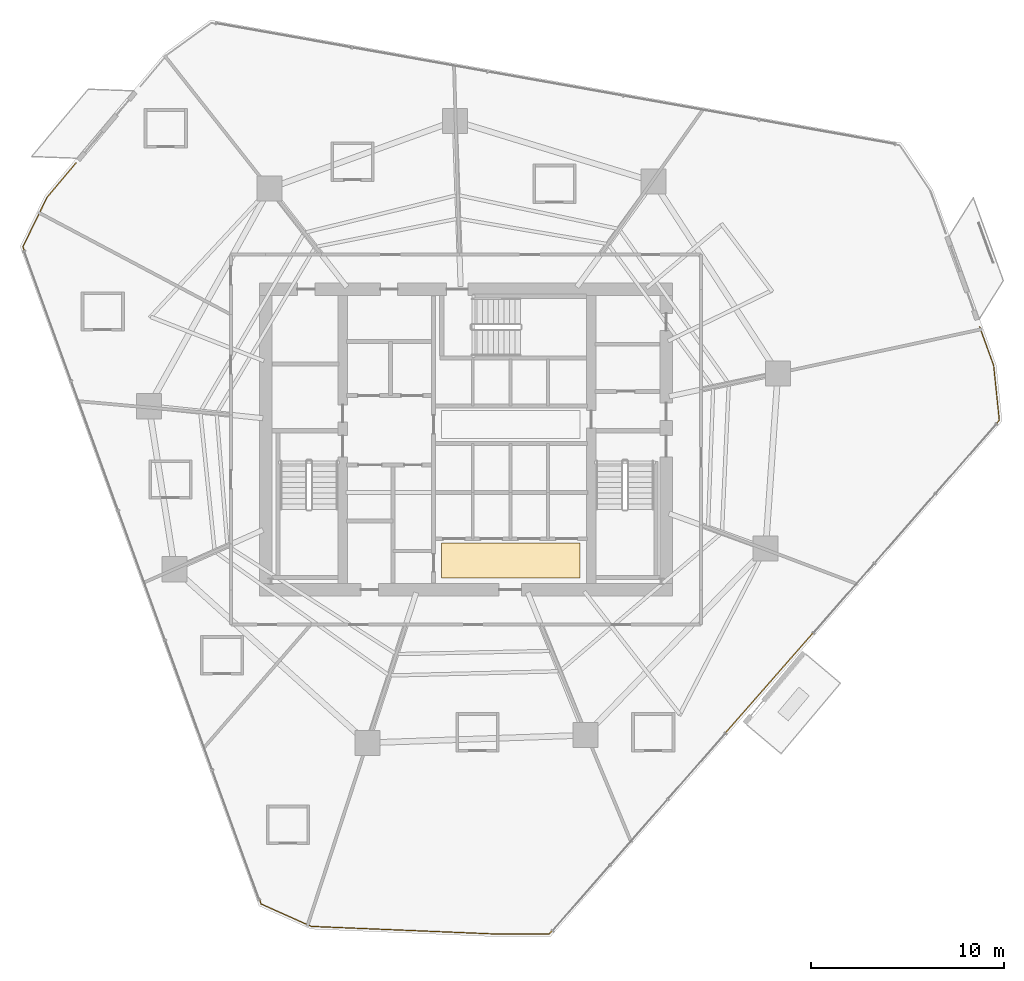
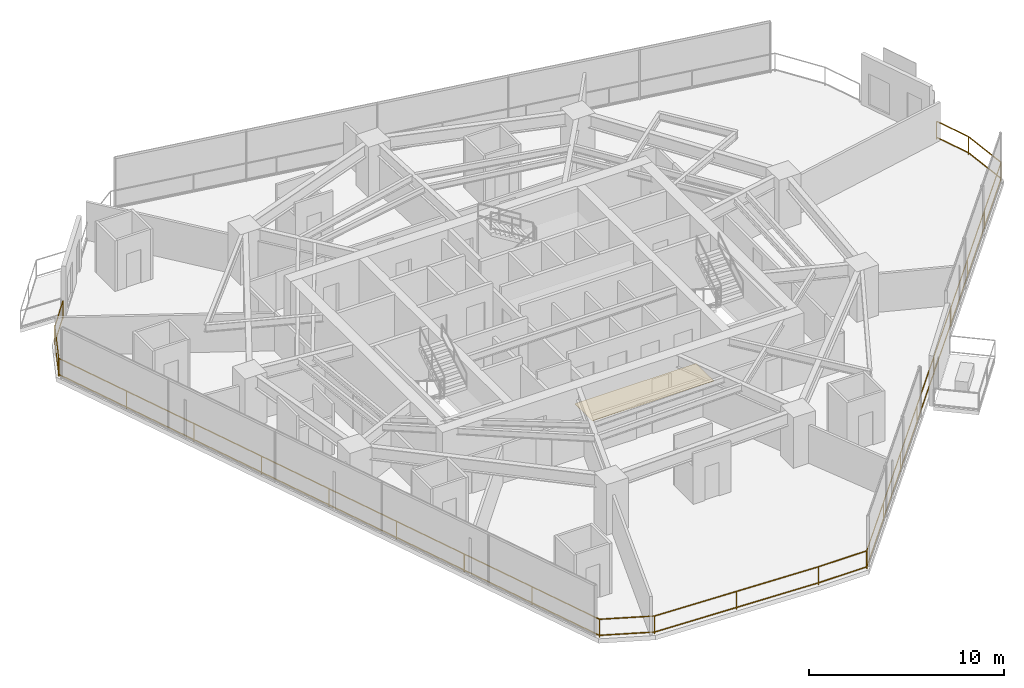
# One storey, part 31 of 33: 1 covering, 1 railing.
"""IFC4 building model written with IfcOpenShell, lengths in metres."""

from ifc_helpers import new_model, si_unit, direction, frame, origin, origin_2d, place, context, subcontext, project, spatial, rectangle, extrude, material, layer, layer_set, type_object, element, save


model = new_model("IFC4")

# Units and contexts
model_context = context("Model", 3, precision=1e-05, world=origin(), true_north=direction((0.0, 1.0)))
body_context = subcontext(model_context, "Body", "Model", "MODEL_VIEW")
ifc_project = project(units=[si_unit("LENGTHUNIT", "METRE"), si_unit("AREAUNIT", "SQUARE_METRE"), si_unit("VOLUMEUNIT", "CUBIC_METRE"), si_unit("PLANEANGLEUNIT", "RADIAN"), si_unit("MASSUNIT", "GRAM", prefix="KILO")], contexts=[model_context])

# Site, building, storey
site_placement = place(None, origin())
site = spatial("IfcSite", under=ifc_project, at=site_placement, CompositionType="ELEMENT")
building_placement = place(site_placement, origin())
building = spatial("IfcBuilding", under=site, at=building_placement, Name="Qarnah Convention Tower", CompositionType="ELEMENT")
storey_placement = place(building_placement, frame((0.0, 0.0, 30.449951171875)))
storey = spatial("IfcBuildingStorey", under=building, at=storey_placement, Name="L06", CompositionType="ELEMENT", Elevation=30.449951171875)

# Covering
ifc_material_1 = material(Name="Porcelain stone floor tile", Category="masonry")
ifc_layer = layer(ifc_material_1, 0.02001953125)
ifc_layer_set = layer_set([ifc_layer], Name="Porcelain stone floor tile")
covering_type = type_object("IfcCoveringType", Name="COV-FLOOR-20", PredefinedType="FLOORING", material=ifc_layer_set)
covering_placement = place(storey_placement, frame((39.52001953125, 20.1201171875, 0.0), z_axis=(0.0, 0.0, 1.0), x_axis=(1.0, 0.0, 0.0)))
element("IfcCovering", 1, at=covering_placement, inside=storey, type_object=covering_type, Name="L06 lift lobby porcelain stone flooring", PredefinedType="FLOORING", context=body_context, shape_type="SweptSolid", body=[
    extrude(rectangle(XDim=7.199951171875, YDim=1.800048828125, at=origin_2d()), origin(), (0.0, 0.0, 1.0), 0.02001953125),
])

# Railing
ifc_material_2 = material(Name="Black anodised aluminium", Category="aluminium")
railing_type = type_object("IfcRailingType", Name="RL-EXT-GUARD-1150", PredefinedType="GUARDRAIL", material=ifc_material_2)
railing_placement = place(storey_placement, frame((63.861083984375, 32.251953125, 0.0)))
element("IfcRailing", 2, at=railing_placement, inside=storey, type_object=railing_type, Name="L06 slab-edge perimeter safety guard 02", PredefinedType="GUARDRAIL", context=body_context, shape_type="SweptSolid", body=[
    extrude(rectangle(XDim=0.048095703125, YDim=0.048095703125, at=origin_2d()), frame((0.0, 0.0, 1.1259765625), z_axis=(0.340667835027, -0.940183719375, 0.0), x_axis=(0.940183719375, 0.340667835027, 0.0)), (0.0, 0.0, 1.0), 2.133544921875),
    extrude(rectangle(XDim=0.048095703125, YDim=0.048095703125, at=origin_2d()), frame((0.0, 0.0, 0.1201171875), z_axis=(0.340667835027, -0.940183719375, 0.0), x_axis=(0.940183719375, 0.340667835027, 0.0)), (0.0, 0.0, 1.0), 2.133544921875),
    extrude(rectangle(XDim=0.048095703125, YDim=0.048095703125, at=origin_2d()), frame((0.726806640625, -2.005859375, 1.1259765625), z_axis=(0.102963286167, -0.994685157073, 0.0), x_axis=(0.994685157073, 0.102963286167, 0.0)), (0.0, 0.0, 1.0), 2.857177734375),
    extrude(rectangle(XDim=0.048095703125, YDim=0.048095703125, at=origin_2d()), frame((0.726806640625, -2.005859375, 0.1201171875), z_axis=(0.102963286167, -0.994685157073, 0.0), x_axis=(0.994685157073, 0.102963286167, 0.0)), (0.0, 0.0, 1.0), 2.857177734375),
    extrude(rectangle(XDim=0.048095703125, YDim=0.048095703125, at=origin_2d()), frame((1.02099609375, -4.847900390625, 1.1259765625), z_axis=(-0.658953068124, -0.75218405594, 0.0), x_axis=(0.75218405594, -0.658953068124, 0.0)), (0.0, 0.0, 1.0), 35.448974609375),
    extrude(rectangle(XDim=0.048095703125, YDim=0.048095703125, at=origin_2d()), frame((1.02099609375, -4.847900390625, 0.1201171875), z_axis=(-0.658953068124, -0.75218405594, 0.0), x_axis=(0.75218405594, -0.658953068124, 0.0)), (0.0, 0.0, 1.0), 35.448974609375),
    extrude(rectangle(XDim=0.048095703125, YDim=0.048095703125, at=origin_2d()), frame((-22.338134765625, -31.511962890625, 1.1259765625), z_axis=(-1.0, 0.0, 0.0), x_axis=(0.0, -1.0, 0.0)), (0.0, 0.0, 1.0), 2.863037109375),
    extrude(rectangle(XDim=0.048095703125, YDim=0.048095703125, at=origin_2d()), frame((-22.338134765625, -31.511962890625, 0.1201171875), z_axis=(-1.0, 0.0, 0.0), x_axis=(0.0, -1.0, 0.0)), (0.0, 0.0, 1.0), 2.863037109375),
    extrude(rectangle(XDim=0.048095703125, YDim=0.048095703125, at=origin_2d()), frame((-25.201171875, -31.511962890625, 1.1259765625), z_axis=(-0.999152163194, 0.041169828582, 0.0), x_axis=(-0.041169828582, -0.999152163194, 0.0)), (0.0, 0.0, 1.0), 9.5),
    extrude(rectangle(XDim=0.048095703125, YDim=0.048095703125, at=origin_2d()), frame((-25.201171875, -31.511962890625, 0.1201171875), z_axis=(-0.999152163194, 0.041169828582, 0.0), x_axis=(-0.041169828582, -0.999152163194, 0.0)), (0.0, 0.0, 1.0), 9.5),
    extrude(rectangle(XDim=0.048095703125, YDim=0.048095703125, at=origin_2d()), frame((-34.693115234375, -31.120849609375, 1.1259765625), z_axis=(-0.912979518742, 0.408005390108, 0.0), x_axis=(-0.408005390108, -0.912979518742, 0.0)), (0.0, 0.0, 1.0), 2.85009765625),
    extrude(rectangle(XDim=0.048095703125, YDim=0.048095703125, at=origin_2d()), frame((-34.693115234375, -31.120849609375, 0.1201171875), z_axis=(-0.912979518742, 0.408005390108, 0.0), x_axis=(-0.408005390108, -0.912979518742, 0.0)), (0.0, 0.0, 1.0), 2.85009765625),
    extrude(rectangle(XDim=0.048095703125, YDim=0.048095703125, at=origin_2d()), frame((-37.295166015625, -29.9580078125, 1.1259765625), z_axis=(-0.340706263363, 0.940169794295, 0.0), x_axis=(-0.940169794295, -0.340706263363, 0.0)), (0.0, 0.0, 1.0), 36.289306640625),
    extrude(rectangle(XDim=0.048095703125, YDim=0.048095703125, at=origin_2d()), frame((-37.295166015625, -29.9580078125, 0.1201171875), z_axis=(-0.340706263363, 0.940169794295, 0.0), x_axis=(-0.940169794295, -0.340706263363, 0.0)), (0.0, 0.0, 1.0), 36.289306640625),
    extrude(rectangle(XDim=0.048095703125, YDim=0.048095703125, at=origin_2d()), frame((-49.6591796875, 4.16015625, 1.1259765625), z_axis=(0.439683317585, 0.898152871307, 0.0), x_axis=(-0.898152871307, 0.439683317585, 0.0)), (0.0, 0.0, 1.0), 2.859130859375),
    extrude(rectangle(XDim=0.048095703125, YDim=0.048095703125, at=origin_2d()), frame((-49.6591796875, 4.16015625, 0.1201171875), z_axis=(0.439683317585, 0.898152871307, 0.0), x_axis=(-0.898152871307, 0.439683317585, 0.0)), (0.0, 0.0, 1.0), 2.859130859375),
    extrude(rectangle(XDim=0.048095703125, YDim=0.048095703125, at=origin_2d()), frame((-48.402099609375, 6.72802734375, 1.1259765625), z_axis=(0.643965800925, 0.765054277316, 0.0), x_axis=(-0.765054277316, 0.643965800925, 0.0)), (0.0, 0.0, 1.0), 2.344970703125),
    extrude(rectangle(XDim=0.048095703125, YDim=0.048095703125, at=origin_2d()), frame((-48.402099609375, 6.72802734375, 0.1201171875), z_axis=(0.643965800925, 0.765054277316, 0.0), x_axis=(-0.765054277316, 0.643965800925, 0.0)), (0.0, 0.0, 1.0), 2.344970703125),
    extrude(rectangle(XDim=0.0419921875, YDim=0.0419921875, at=origin_2d()), origin(), (0.0, 0.0, 1.0), 1.101806640625),
    extrude(rectangle(XDim=0.0419921875, YDim=0.0419921875, at=origin_2d()), frame((0.726806640625, -2.005859375, 0.0)), (0.0, 0.0, 1.0), 1.101806640625),
    extrude(rectangle(XDim=0.0419921875, YDim=0.0419921875, at=origin_2d()), frame((1.02099609375, -4.847900390625, 0.0)), (0.0, 0.0, 1.0), 1.101806640625),
    extrude(rectangle(XDim=0.0419921875, YDim=0.0419921875, at=origin_2d()), frame((-1.89892578125, -8.180908203125, 0.0)), (0.0, 0.0, 1.0), 1.101806640625),
    extrude(rectangle(XDim=0.0419921875, YDim=0.0419921875, at=origin_2d()), frame((-4.81884765625, -11.513916015625, 0.0)), (0.0, 0.0, 1.0), 1.101806640625),
    extrude(rectangle(XDim=0.0419921875, YDim=0.0419921875, at=origin_2d()), frame((-7.73876953125, -14.846923828125, 0.0)), (0.0, 0.0, 1.0), 1.101806640625),
    extrude(rectangle(XDim=0.0419921875, YDim=0.0419921875, at=origin_2d()), frame((-10.65869140625, -18.179931640625, 0.0)), (0.0, 0.0, 1.0), 1.101806640625),
    extrude(rectangle(XDim=0.0419921875, YDim=0.0419921875, at=origin_2d()), frame((-13.578369140625, -21.512939453125, 0.0)), (0.0, 0.0, 1.0), 1.101806640625),
    extrude(rectangle(XDim=0.0419921875, YDim=0.0419921875, at=origin_2d()), frame((-16.498291015625, -24.845947265625, 0.0)), (0.0, 0.0, 1.0), 1.101806640625),
    extrude(rectangle(XDim=0.0419921875, YDim=0.0419921875, at=origin_2d()), frame((-19.418212890625, -28.178955078125, 0.0)), (0.0, 0.0, 1.0), 1.101806640625),
    extrude(rectangle(XDim=0.0419921875, YDim=0.0419921875, at=origin_2d()), frame((-22.338134765625, -31.511962890625, 0.0)), (0.0, 0.0, 1.0), 1.101806640625),
    extrude(rectangle(XDim=0.0419921875, YDim=0.0419921875, at=origin_2d()), frame((-25.201171875, -31.511962890625, 0.0)), (0.0, 0.0, 1.0), 1.101806640625),
    extrude(rectangle(XDim=0.0419921875, YDim=0.0419921875, at=origin_2d()), frame((-29.947265625, -31.31640625, 0.0)), (0.0, 0.0, 1.0), 1.101806640625),
    extrude(rectangle(XDim=0.0419921875, YDim=0.0419921875, at=origin_2d()), frame((-34.693115234375, -31.120849609375, 0.0)), (0.0, 0.0, 1.0), 1.101806640625),
    extrude(rectangle(XDim=0.0419921875, YDim=0.0419921875, at=origin_2d()), frame((-37.295166015625, -29.9580078125, 0.0)), (0.0, 0.0, 1.0), 1.101806640625),
    extrude(rectangle(XDim=0.0419921875, YDim=0.0419921875, at=origin_2d()), frame((-38.840576171875, -25.693359375, 0.0)), (0.0, 0.0, 1.0), 1.101806640625),
    extrude(rectangle(XDim=0.0419921875, YDim=0.0419921875, at=origin_2d()), frame((-40.38623046875, -21.428466796875, 0.0)), (0.0, 0.0, 1.0), 1.101806640625),
    extrude(rectangle(XDim=0.0419921875, YDim=0.0419921875, at=origin_2d()), frame((-41.931640625, -17.16357421875, 0.0)), (0.0, 0.0, 1.0), 1.101806640625),
    extrude(rectangle(XDim=0.0419921875, YDim=0.0419921875, at=origin_2d()), frame((-43.47705078125, -12.89892578125, 0.0)), (0.0, 0.0, 1.0), 1.101806640625),
    extrude(rectangle(XDim=0.0419921875, YDim=0.0419921875, at=origin_2d()), frame((-45.022705078125, -8.63427734375, 0.0)), (0.0, 0.0, 1.0), 1.101806640625),
    extrude(rectangle(XDim=0.0419921875, YDim=0.0419921875, at=origin_2d()), frame((-46.568115234375, -4.369384765625, 0.0)), (0.0, 0.0, 1.0), 1.101806640625),
    extrude(rectangle(XDim=0.0419921875, YDim=0.0419921875, at=origin_2d()), frame((-48.11376953125, -0.1044921875, 0.0)), (0.0, 0.0, 1.0), 1.101806640625),
    extrude(rectangle(XDim=0.0419921875, YDim=0.0419921875, at=origin_2d()), frame((-49.6591796875, 4.16015625, 0.0)), (0.0, 0.0, 1.0), 1.101806640625),
    extrude(rectangle(XDim=0.0419921875, YDim=0.0419921875, at=origin_2d()), frame((-48.402099609375, 6.72802734375, 0.0)), (0.0, 0.0, 1.0), 1.101806640625),
    extrude(rectangle(XDim=0.0419921875, YDim=0.0419921875, at=origin_2d()), frame((-46.89208984375, 8.52197265625, 0.0)), (0.0, 0.0, 1.0), 1.101806640625),
])

save(model, "model.ifc")
